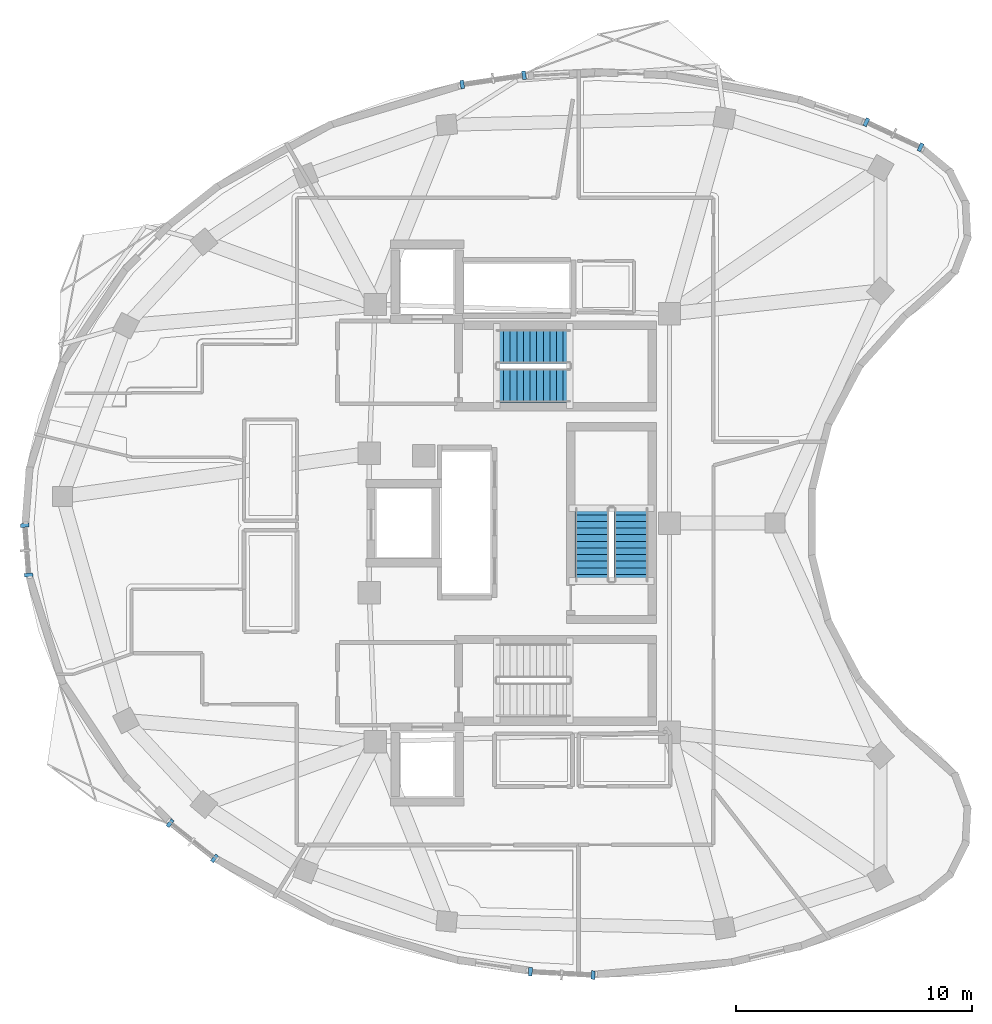
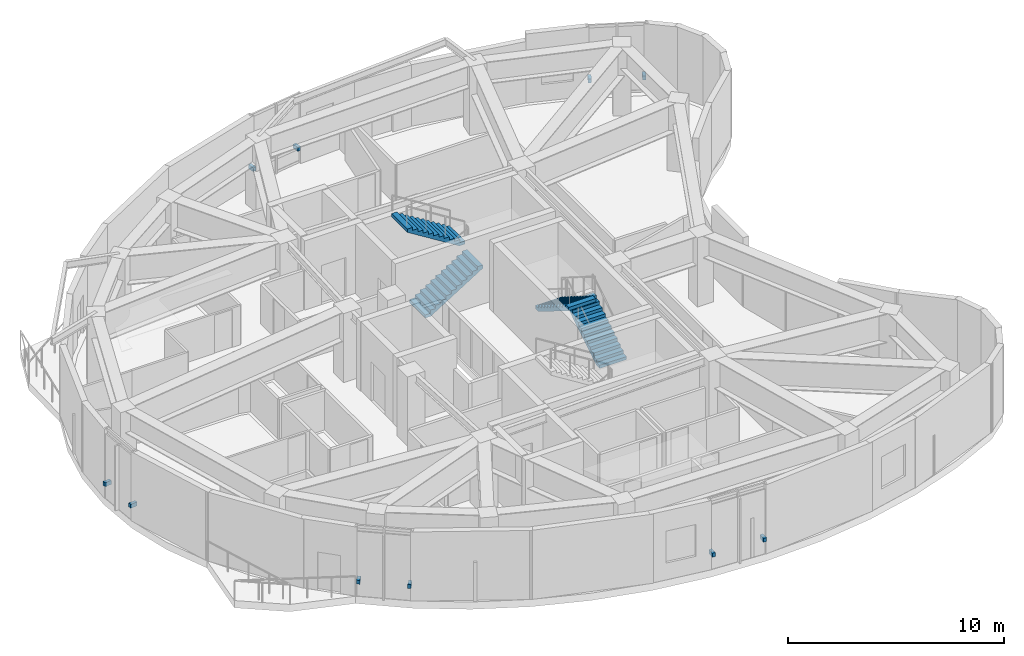
# One storey, part 9 of 12: 10 discrete accessories, 4 stair flights, 2 elements without a shape of their own.
"""IFC4 building model written with IfcOpenShell, lengths in metres."""

from ifc_helpers import new_model, si_unit, direction, frame, origin, origin_2d, place, context, subcontext, project, spatial, polyline, rectangle, outline, extrude, material, type_object, element, aggregate, save


model = new_model("IFC4")

# Units and contexts
model_context = context("Model", 3, precision=1e-05, world=origin(), true_north=direction((0.0, 1.0)))
body_context = subcontext(model_context, "Body", "Model", "MODEL_VIEW")
ifc_project = project(units=[si_unit("LENGTHUNIT", "METRE"), si_unit("AREAUNIT", "SQUARE_METRE"), si_unit("VOLUMEUNIT", "CUBIC_METRE"), si_unit("PLANEANGLEUNIT", "RADIAN"), si_unit("MASSUNIT", "GRAM", prefix="KILO")], contexts=[model_context])

# Site, building, storey
site_placement = place(None, origin())
site = spatial("IfcSite", under=ifc_project, at=site_placement, CompositionType="ELEMENT")
building_placement = place(site_placement, origin())
building = spatial("IfcBuilding", under=site, at=building_placement, Name="Korentha Bioscience Tower", CompositionType="ELEMENT")
storey_placement = place(building_placement, frame((0.0, 0.0, 286.800048828125)))
storey = spatial("IfcBuildingStorey", under=building, at=storey_placement, Name="L66", CompositionType="ELEMENT", Elevation=286.800048828125)

# Stair, stair flights
ifc_material_1 = material(Name="Precast Concrete C50", Category="concrete")
stair_type = type_object("IfcStairType", Name="Core Exit Dog-Leg Stair 1450", PredefinedType="HALF_TURN_STAIR", material=ifc_material_1)
stair_1_placement = place(storey_placement, origin())
stair_1 = element("IfcStair", 1, at=stair_1_placement, inside=storey, type_object=stair_type, Name="L66 Tower North Pressurized Exit Stair ST-1", PredefinedType="HALF_TURN_STAIR")
stair_flight_type = type_object("IfcStairFlightType", Name="Core Exit Dog-Leg Stair 1450 Flight", PredefinedType="STRAIGHT", material=ifc_material_1)
stair_flight_1_placement = place(storey_placement, frame((30.25, 32.824951171875, 0.0), z_axis=(0.0, 0.0, 1.0), x_axis=(1.0, 0.0, 0.0)))
stair_flight_1 = element("IfcStairFlight", 2, at=stair_flight_1_placement, type_object=stair_flight_type, Name="ST-1 flight 1", NumberOfRisers=12, NumberOfTreads=11, PredefinedType="STRAIGHT", RiserHeight=0.175, TreadLength=0.28, context=body_context, shape_type="SweptSolid", body=[
    extrude(outline(polyline([(0.0, 0.0), (0.0, 0.175048828125), (0.280029296875, 0.175048828125), (0.280029296875, 0.35009765625), (0.56005859375, 0.35009765625), (0.56005859375, 0.52490234375), (0.840087890625, 0.52490234375), (0.840087890625, 0.699951171875), (1.1201171875, 0.699951171875), (1.1201171875, 0.875), (1.39990234375, 0.875), (1.39990234375, 1.050048828125), (1.679931640625, 1.050048828125), (1.679931640625, 1.22509765625), (1.9599609375, 1.22509765625), (1.9599609375, 1.39990234375), (2.239990234375, 1.39990234375), (2.239990234375, 1.574951171875), (2.52001953125, 1.574951171875), (2.52001953125, 1.75), (2.800048828125, 1.75), (2.800048828125, 1.925048828125), (3.080078125, 1.925048828125), (3.080078125, 2.10009765625), (3.080078125, 1.736328125), (0.3017578125, 0.0), (0.0, 0.0)])), frame((0.0, 0.72509765625, 0.0), z_axis=(0.0, -1.0, 0.0), x_axis=(1.0, 0.0, 0.0)), (0.0, 0.0, 1.0), 1.449951171875),
])
stair_flight_2_placement = place(storey_placement, frame((33.330078125, 34.47509765625, 2.099853515625), z_axis=(0.0, 0.0, 1.0), x_axis=(-1.0, 0.0, 0.0)))
stair_flight_2 = element("IfcStairFlight", 3, at=stair_flight_2_placement, type_object=stair_flight_type, Name="ST-1 flight 2", NumberOfRisers=12, NumberOfTreads=11, PredefinedType="STRAIGHT", RiserHeight=0.175, TreadLength=0.28, context=body_context, shape_type="SweptSolid", body=[
    extrude(outline(polyline([(0.0, 0.0), (0.0, 0.175048828125), (0.280029296875, 0.175048828125), (0.280029296875, 0.35009765625), (0.56005859375, 0.35009765625), (0.56005859375, 0.52490234375), (0.840087890625, 0.52490234375), (0.840087890625, 0.699951171875), (1.1201171875, 0.699951171875), (1.1201171875, 0.875), (1.39990234375, 0.875), (1.39990234375, 1.050048828125), (1.679931640625, 1.050048828125), (1.679931640625, 1.22509765625), (1.9599609375, 1.22509765625), (1.9599609375, 1.39990234375), (2.239990234375, 1.39990234375), (2.239990234375, 1.574951171875), (2.52001953125, 1.574951171875), (2.52001953125, 1.75), (2.800048828125, 1.75), (2.800048828125, 1.925048828125), (3.080078125, 1.925048828125), (3.080078125, 2.10009765625), (3.080078125, 1.736328125), (0.3017578125, 0.0), (0.0, 0.0)])), frame((0.0, 0.72509765625, 0.0), z_axis=(0.0, -1.0, 0.0), x_axis=(1.0, 0.0, 0.0)), (0.0, 0.0, 1.0), 1.449951171875),
])
aggregate(stair_1, [stair_flight_1, stair_flight_2])

stair_2_placement = place(storey_placement, origin())
stair_2 = element("IfcStair", 4, at=stair_2_placement, inside=storey, type_object=stair_type, Name="L66 Tower Central Pressurized Exit Stair ST-3", PredefinedType="HALF_TURN_STAIR")
stair_flight_3_placement = place(storey_placement, frame((35.925048828125, 24.550048828125, 0.0), z_axis=(0.0, 0.0, 1.0), x_axis=(0.0, 1.0, 0.0)))
stair_flight_3 = element("IfcStairFlight", 5, at=stair_flight_3_placement, type_object=stair_flight_type, Name="ST-3 flight 1", NumberOfRisers=12, NumberOfTreads=11, PredefinedType="STRAIGHT", RiserHeight=0.175, TreadLength=0.28, context=body_context, shape_type="SweptSolid", body=[
    extrude(outline(polyline([(0.0, 0.0), (0.0, 0.175048828125), (0.280029296875, 0.175048828125), (0.280029296875, 0.35009765625), (0.56005859375, 0.35009765625), (0.56005859375, 0.52490234375), (0.840087890625, 0.52490234375), (0.840087890625, 0.699951171875), (1.1201171875, 0.699951171875), (1.1201171875, 0.875), (1.39990234375, 0.875), (1.39990234375, 1.050048828125), (1.679931640625, 1.050048828125), (1.679931640625, 1.22509765625), (1.9599609375, 1.22509765625), (1.9599609375, 1.39990234375), (2.239990234375, 1.39990234375), (2.239990234375, 1.574951171875), (2.52001953125, 1.574951171875), (2.52001953125, 1.75), (2.800048828125, 1.75), (2.800048828125, 1.925048828125), (3.080078125, 1.925048828125), (3.080078125, 2.10009765625), (3.080078125, 1.736328125), (0.3017578125, 0.0), (0.0, 0.0)])), frame((0.0, 0.72509765625, 0.0), z_axis=(0.0, -1.0, 0.0), x_axis=(1.0, 0.0, 0.0)), (0.0, 0.0, 1.0), 1.449951171875),
])
stair_flight_4_placement = place(storey_placement, frame((34.27490234375, 27.6298828125, 2.099853515625), z_axis=(0.0, 0.0, 1.0), x_axis=(0.0, -1.0, 0.0)))
stair_flight_4 = element("IfcStairFlight", 6, at=stair_flight_4_placement, type_object=stair_flight_type, Name="ST-3 flight 2", NumberOfRisers=12, NumberOfTreads=11, PredefinedType="STRAIGHT", RiserHeight=0.175, TreadLength=0.28, context=body_context, shape_type="SweptSolid", body=[
    extrude(outline(polyline([(0.0, 0.0), (0.0, 0.175048828125), (0.280029296875, 0.175048828125), (0.280029296875, 0.35009765625), (0.56005859375, 0.35009765625), (0.56005859375, 0.52490234375), (0.840087890625, 0.52490234375), (0.840087890625, 0.699951171875), (1.1201171875, 0.699951171875), (1.1201171875, 0.875), (1.39990234375, 0.875), (1.39990234375, 1.050048828125), (1.679931640625, 1.050048828125), (1.679931640625, 1.22509765625), (1.9599609375, 1.22509765625), (1.9599609375, 1.39990234375), (2.239990234375, 1.39990234375), (2.239990234375, 1.574951171875), (2.52001953125, 1.574951171875), (2.52001953125, 1.75), (2.800048828125, 1.75), (2.800048828125, 1.925048828125), (3.080078125, 1.925048828125), (3.080078125, 2.10009765625), (3.080078125, 1.736328125), (0.3017578125, 0.0), (0.0, 0.0)])), frame((0.0, 0.72509765625, 0.0), z_axis=(0.0, -1.0, 0.0), x_axis=(1.0, 0.0, 0.0)), (0.0, 0.0, 1.0), 1.449951171875),
])
aggregate(stair_2, [stair_flight_3, stair_flight_4])

# Discrete accessories
ifc_material_2 = material(Name="Stainless Steel 316", Category="steel")
discrete_accessory_type = type_object("IfcDiscreteAccessoryType", Name="Stainless Steel Solar-Screen Outrigger Bracket", PredefinedType="BRACKET", material=ifc_material_2)
for number, where, z_axis, x_axis, name in (
    (7, (48.170166015625, 42.901611328125, 0.73974609375), (0.0, 0.0, 1.0), (-0.907204022278, 0.420690934016, 0.0), "CW-L66-01 Solar-Screen Support Bracket 1"),
    (8, (45.87646484375, 43.965087890625, 0.73974609375), (0.0, 0.0, 1.0), (-0.907204022278, 0.420690934016, 0.0), "CW-L66-01 Solar-Screen Support Bracket 2"),
    (9, (31.396240234375, 45.947265625, 0.73974609375), (0.0, 0.0, 1.0), (-0.98900659611, -0.147871406471, 0.0), "CW-L66-07 Solar-Screen Support Bracket 1"),
    (10, (28.783203125, 45.556396484375, 0.73974609375), (0.0, 0.0, 1.0), (-0.98900659611, -0.147871406471, 0.0), "CW-L66-07 Solar-Screen Support Bracket 2"),
    (11, (10.275390625, 26.905029296875, 0.73974609375), (0.0, 0.0, 1.0), (0.076447323916, -0.997073621487, 0.0), "CW-L66-19 Solar-Screen Support Bracket 1"),
    (12, (10.4365234375, 24.8046875, 0.73974609375), (0.0, 0.0, 1.0), (0.076447323916, -0.997073621487, 0.0), "CW-L66-19 Solar-Screen Support Bracket 2"),
    (13, (16.423095703125, 14.306640625, 0.73974609375), (0.0, 0.0, 1.0), (0.78407560827, -0.620665320858, 0.0), "CW-L66-25 Solar-Screen Support Bracket 1"),
    (14, (18.302001953125, 12.8193359375, 0.73974609375), (0.0, 0.0, 1.0), (0.78407560827, -0.620665320858, 0.0), "CW-L66-25 Solar-Screen Support Bracket 2"),
    (15, (31.66552734375, 8.025634765625, 0.73974609375), (0.0, 0.0, 1.0), (0.998579324855, -0.053285382345, 0.0), "CW-L66-31 Solar-Screen Support Bracket 1"),
    (16, (34.31884765625, 7.884033203125, 0.73974609375), (0.0, 0.0, 1.0), (0.998579324855, -0.053285382345, 0.0), "CW-L66-31 Solar-Screen Support Bracket 2"),
):
    element("IfcDiscreteAccessory", number, at=place(storey_placement, frame(where, z_axis=z_axis, x_axis=x_axis)), inside=storey, type_object=discrete_accessory_type, Name=name, PredefinedType="BRACKET", context=body_context, shape_type="SweptSolid", body=[
        extrude(rectangle(XDim=0.159912109375, YDim=0.360107421875, at=origin_2d()), origin(), (0.0, 0.0, 1.0), 0.219970703125),
    ])

save(model, "model.ifc")
